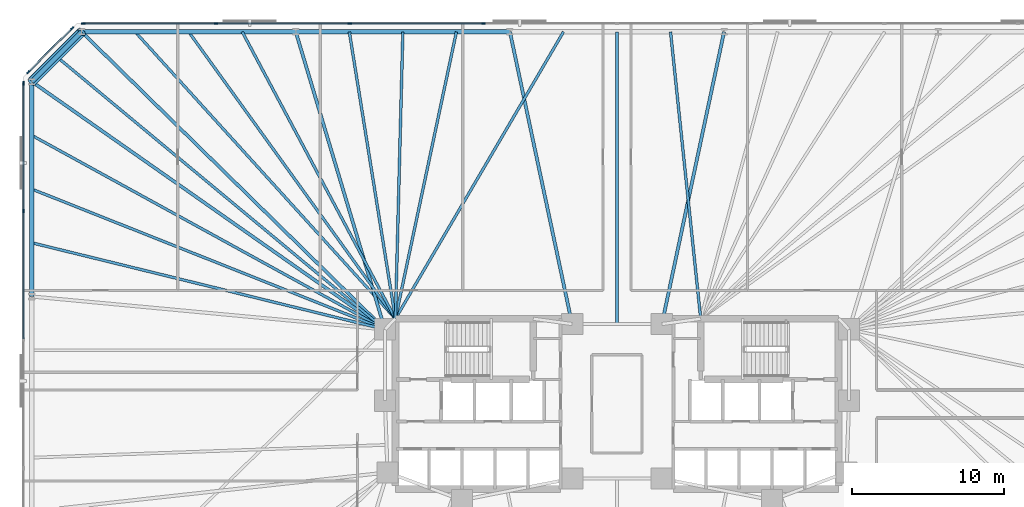
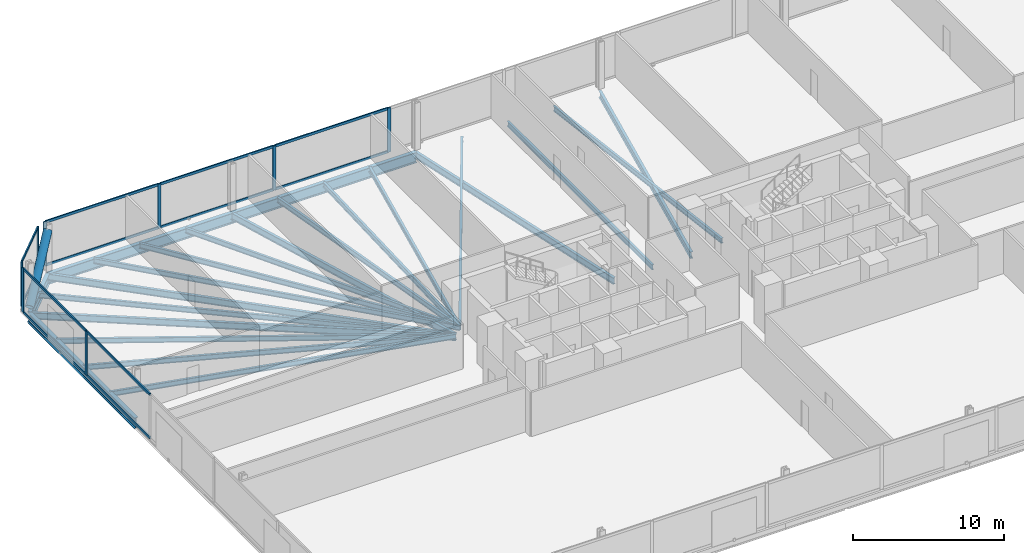
# One storey, part 8 of 16: 22 beams, 21 members, 3 elements without a shape of their own.
"""IFC4 building model written with IfcOpenShell, lengths in metres."""

from ifc_helpers import new_model, si_unit, direction, frame, origin, origin_2d, place, context, subcontext, project, spatial, rectangle, hollow_circle, i_section, extrude, material, material_profile, profile_set, type_object, element, aggregate, save


model = new_model("IFC4")

# Units and contexts
model_context = context("Model", 3, precision=1e-05, world=origin(), true_north=direction((0.0, 1.0)))
body_context = subcontext(model_context, "Body", "Model", "MODEL_VIEW")
ifc_project = project(units=[si_unit("LENGTHUNIT", "METRE"), si_unit("AREAUNIT", "SQUARE_METRE"), si_unit("VOLUMEUNIT", "CUBIC_METRE"), si_unit("PLANEANGLEUNIT", "RADIAN"), si_unit("MASSUNIT", "GRAM", prefix="KILO")], contexts=[model_context])

# Site, building, storey
site_placement = place(None, origin())
site = spatial("IfcSite", under=ifc_project, at=site_placement, CompositionType="ELEMENT")
building_placement = place(site_placement, origin())
building = spatial("IfcBuilding", under=site, at=building_placement, Name="Menara Jurai Vektor", CompositionType="ELEMENT")
storey_placement = place(building_placement, frame((0.0, 0.0, 59.800048828125)))
storey = spatial("IfcBuildingStorey", under=building, at=storey_placement, Name="L14", CompositionType="ELEMENT", Elevation=59.800048828125)

# Curtain wall, members
ifc_material_1 = material(Name="Anodised Pale Aluminium & Low-E Double Glazing", Category="aluminium")
curtain_wall_type = type_object("IfcCurtainWallType", Name="CW-BLK1", PredefinedType="NOTDEFINED", material=ifc_material_1)
curtain_wall_1_placement = place(storey_placement, origin())
curtain_wall_1 = element("IfcCurtainWall", 1, at=curtain_wall_1_placement, inside=storey, type_object=curtain_wall_type, Name="Unitised Curtain Wall L14 F05", PredefinedType="NOTDEFINED")
ifc_material_2 = material(Name="Anodised Pale Aluminium Mullion", Category="aluminium")
ifc_material_profile_1 = material_profile(ifc_material_2, rectangle(XDim=0.094970703125, YDim=0.239990234375, at=origin_2d()), Name="ALU MUL 95x240")
ifc_profile_set_1 = profile_set([ifc_material_profile_1], Name="Anodised Pale Aluminium Mullion")
member_type_1 = type_object("IfcMemberType", Name="CW-BLK1-MUL", PredefinedType="MULLION", material=ifc_profile_set_1)
member_1_placement = place(storey_placement, frame((-8.780029296875, 25.0, 0.0), z_axis=(0.0, 0.0, 1.0), x_axis=(0.0, -1.0, 0.0)))
member_1 = element("IfcMember", 2, at=member_1_placement, type_object=member_type_1, Name="CW-01 mullion 6", PredefinedType="MULLION", context=body_context, shape_type="SweptSolid", body=[
    extrude(rectangle(XDim=0.094970703125, YDim=0.239990234375, at=origin_2d()), origin(), (0.0, 0.0, 1.0), 3.574951171875),
])
member_2_placement = place(storey_placement, frame((-17.56005859375, 25.0, 0.0), z_axis=(0.0, 0.0, 1.0), x_axis=(0.0, -1.0, 0.0)))
member_2 = element("IfcMember", 3, at=member_2_placement, type_object=member_type_1, Name="CW-01 mullion 7", PredefinedType="MULLION", context=body_context, shape_type="SweptSolid", body=[
    extrude(rectangle(XDim=0.094970703125, YDim=0.239990234375, at=origin_2d()), origin(), (0.0, 0.0, 1.0), 3.574951171875),
])
member_3_placement = place(storey_placement, frame((-26.340087890625, 25.0, 0.0), z_axis=(0.0, 0.0, 1.0), x_axis=(0.0, -1.0, 0.0)))
member_3 = element("IfcMember", 4, at=member_3_placement, type_object=member_type_1, Name="CW-01 mullion 8", PredefinedType="MULLION", context=body_context, shape_type="SweptSolid", body=[
    extrude(rectangle(XDim=0.094970703125, YDim=0.239990234375, at=origin_2d()), origin(), (0.0, 0.0, 1.0), 3.574951171875),
])
member_4_placement = place(storey_placement, frame((-35.072509765625, 25.0, 0.0), z_axis=(0.0, 0.0, 1.0), x_axis=(0.0, -1.0, 0.0)))
member_4 = element("IfcMember", 5, at=member_4_placement, type_object=member_type_1, Name="CW-01 mullion 9", PredefinedType="MULLION", context=body_context, shape_type="SweptSolid", body=[
    extrude(rectangle(XDim=0.094970703125, YDim=0.239990234375, at=origin_2d()), origin(), (0.0, 0.0, 1.0), 3.574951171875),
])

curtain_wall_2_placement = place(storey_placement, origin())
curtain_wall_2 = element("IfcCurtainWall", 6, at=curtain_wall_2_placement, inside=storey, type_object=curtain_wall_type, Name="Unitised Curtain Wall L14 F06", PredefinedType="NOTDEFINED")
member_5_placement = place(storey_placement, frame((-35.80224609375, 24.69775390625, 0.0), z_axis=(0.0, 0.0, 1.0), x_axis=(0.707106781187, -0.707106781187, 0.0)))
member_5 = element("IfcMember", 7, at=member_5_placement, type_object=member_type_1, Name="CW-01 mullion 1", PredefinedType="MULLION", context=body_context, shape_type="SweptSolid", body=[
    extrude(rectangle(XDim=0.094970703125, YDim=0.239990234375, at=origin_2d()), origin(), (0.0, 0.0, 1.0), 3.574951171875),
])
member_6_placement = place(storey_placement, frame((-38.69775390625, 21.80224609375, 0.0), z_axis=(0.0, 0.0, 1.0), x_axis=(0.707106781187, -0.707106781187, 0.0)))
member_6 = element("IfcMember", 8, at=member_6_placement, type_object=member_type_1, Name="CW-01 mullion 2", PredefinedType="MULLION", context=body_context, shape_type="SweptSolid", body=[
    extrude(rectangle(XDim=0.094970703125, YDim=0.239990234375, at=origin_2d()), origin(), (0.0, 0.0, 1.0), 3.574951171875),
])

curtain_wall_3_placement = place(storey_placement, origin())
curtain_wall_3 = element("IfcCurtainWall", 9, at=curtain_wall_3_placement, inside=storey, type_object=curtain_wall_type, Name="Unitised Curtain Wall L14 F07", PredefinedType="NOTDEFINED")
member_7_placement = place(storey_placement, frame((-39.0, 21.072509765625, 0.0), z_axis=(0.0, 0.0, 1.0), x_axis=(1.0, 0.0, 0.0)))
member_7 = element("IfcMember", 10, at=member_7_placement, type_object=member_type_1, Name="CW-01 mullion 1", PredefinedType="MULLION", context=body_context, shape_type="SweptSolid", body=[
    extrude(rectangle(XDim=0.094970703125, YDim=0.239990234375, at=origin_2d()), origin(), (0.0, 0.0, 1.0), 3.574951171875),
])
member_8_placement = place(storey_placement, frame((-39.0, 12.672119140625, 0.0), z_axis=(0.0, 0.0, 1.0), x_axis=(1.0, 0.0, 0.0)))
member_8 = element("IfcMember", 11, at=member_8_placement, type_object=member_type_1, Name="CW-01 mullion 2", PredefinedType="MULLION", context=body_context, shape_type="SweptSolid", body=[
    extrude(rectangle(XDim=0.094970703125, YDim=0.239990234375, at=origin_2d()), origin(), (0.0, 0.0, 1.0), 3.574951171875),
])

# Member
ifc_material_3 = material(Name="Anodised Pale Aluminium Transom", Category="aluminium")
ifc_material_profile_2 = material_profile(ifc_material_3, rectangle(XDim=0.094970703125, YDim=0.199951171875, at=origin_2d()), Name="ALU TRN 95x200")
ifc_profile_set_2 = profile_set([ifc_material_profile_2], Name="Anodised Pale Aluminium Transom")
member_type_2 = type_object("IfcMemberType", Name="CW-BLK1-TRN", PredefinedType="USERDEFINED", material=ifc_profile_set_2)
member_9_placement = place(storey_placement, frame((-8.827392578125, 25.0, 0.04736328125), z_axis=(-1.0, 0.0, 0.0), x_axis=(0.0, -1.0, 0.0)))
member_9 = element("IfcMember", 12, at=member_9_placement, type_object=member_type_2, Name="CW-01 transom 6.1", ObjectType="TRANSOM", PredefinedType="USERDEFINED", context=body_context, shape_type="SweptSolid", body=[
    extrude(rectangle(XDim=0.094970703125, YDim=0.199951171875, at=origin_2d()), origin(), (0.0, 0.0, 1.0), 8.68505859375),
])

member_10_placement = place(storey_placement, frame((-8.827392578125, 25.0, 3.52734375), z_axis=(-1.0, 0.0, 0.0), x_axis=(0.0, -1.0, 0.0)))
member_10 = element("IfcMember", 13, at=member_10_placement, type_object=member_type_2, Name="CW-01 transom 6.2", ObjectType="TRANSOM", PredefinedType="USERDEFINED", context=body_context, shape_type="SweptSolid", body=[
    extrude(rectangle(XDim=0.094970703125, YDim=0.199951171875, at=origin_2d()), origin(), (0.0, 0.0, 1.0), 8.68505859375),
])

member_11_placement = place(storey_placement, frame((-17.607421875, 25.0, 0.04736328125), z_axis=(-1.0, 0.0, 0.0), x_axis=(0.0, -1.0, 0.0)))
member_11 = element("IfcMember", 14, at=member_11_placement, type_object=member_type_2, Name="CW-01 transom 7.1", ObjectType="TRANSOM", PredefinedType="USERDEFINED", context=body_context, shape_type="SweptSolid", body=[
    extrude(rectangle(XDim=0.094970703125, YDim=0.199951171875, at=origin_2d()), origin(), (0.0, 0.0, 1.0), 8.68505859375),
])

member_12_placement = place(storey_placement, frame((-17.607421875, 25.0, 3.52734375), z_axis=(-1.0, 0.0, 0.0), x_axis=(0.0, -1.0, 0.0)))
member_12 = element("IfcMember", 15, at=member_12_placement, type_object=member_type_2, Name="CW-01 transom 7.2", ObjectType="TRANSOM", PredefinedType="USERDEFINED", context=body_context, shape_type="SweptSolid", body=[
    extrude(rectangle(XDim=0.094970703125, YDim=0.199951171875, at=origin_2d()), origin(), (0.0, 0.0, 1.0), 8.68505859375),
])

member_13_placement = place(storey_placement, frame((-26.387451171875, 25.0, 0.04736328125), z_axis=(-1.0, 0.0, 0.0), x_axis=(0.0, -1.0, 0.0)))
member_13 = element("IfcMember", 16, at=member_13_placement, type_object=member_type_2, Name="CW-01 transom 8.1", ObjectType="TRANSOM", PredefinedType="USERDEFINED", context=body_context, shape_type="SweptSolid", body=[
    extrude(rectangle(XDim=0.094970703125, YDim=0.199951171875, at=origin_2d()), origin(), (0.0, 0.0, 1.0), 8.637451171875),
])

member_14_placement = place(storey_placement, frame((-26.387451171875, 25.0, 3.52734375), z_axis=(-1.0, 0.0, 0.0), x_axis=(0.0, -1.0, 0.0)))
member_14 = element("IfcMember", 17, at=member_14_placement, type_object=member_type_2, Name="CW-01 transom 8.2", ObjectType="TRANSOM", PredefinedType="USERDEFINED", context=body_context, shape_type="SweptSolid", body=[
    extrude(rectangle(XDim=0.094970703125, YDim=0.199951171875, at=origin_2d()), origin(), (0.0, 0.0, 1.0), 8.637451171875),
])

aggregate(curtain_wall_1, [member_1, member_2, member_3, member_4, member_9, member_10, member_11, member_12, member_13, member_14])

member_15_placement = place(storey_placement, frame((-35.8359375, 24.6640625, 0.04736328125), z_axis=(-0.707106781187, -0.707106781187, 0.0), x_axis=(0.707106781187, -0.707106781187, 0.0)))
member_15 = element("IfcMember", 18, at=member_15_placement, type_object=member_type_2, Name="CW-01 transom 1.1", ObjectType="TRANSOM", PredefinedType="USERDEFINED", context=body_context, shape_type="SweptSolid", body=[
    extrude(rectangle(XDim=0.094970703125, YDim=0.199951171875, at=origin_2d()), origin(), (0.0, 0.0, 1.0), 3.99951171875),
])

member_16_placement = place(storey_placement, frame((-35.8359375, 24.6640625, 3.52734375), z_axis=(-0.707106781187, -0.707106781187, 0.0), x_axis=(0.707106781187, -0.707106781187, 0.0)))
member_16 = element("IfcMember", 19, at=member_16_placement, type_object=member_type_2, Name="CW-01 transom 1.2", ObjectType="TRANSOM", PredefinedType="USERDEFINED", context=body_context, shape_type="SweptSolid", body=[
    extrude(rectangle(XDim=0.094970703125, YDim=0.199951171875, at=origin_2d()), origin(), (0.0, 0.0, 1.0), 3.99951171875),
])

aggregate(curtain_wall_2, [member_5, member_6, member_15, member_16])

member_17_placement = place(storey_placement, frame((-39.0, 21.02490234375, 0.04736328125), z_axis=(0.0, -1.0, 0.0), x_axis=(1.0, 0.0, 0.0)))
member_17 = element("IfcMember", 20, at=member_17_placement, type_object=member_type_2, Name="CW-01 transom 1.1", ObjectType="TRANSOM", PredefinedType="USERDEFINED", context=body_context, shape_type="SweptSolid", body=[
    extrude(rectangle(XDim=0.094970703125, YDim=0.199951171875, at=origin_2d()), origin(), (0.0, 0.0, 1.0), 8.305419921875),
])

member_18_placement = place(storey_placement, frame((-39.0, 21.02490234375, 3.52734375), z_axis=(0.0, -1.0, 0.0), x_axis=(1.0, 0.0, 0.0)))
member_18 = element("IfcMember", 21, at=member_18_placement, type_object=member_type_2, Name="CW-01 transom 1.2", ObjectType="TRANSOM", PredefinedType="USERDEFINED", context=body_context, shape_type="SweptSolid", body=[
    extrude(rectangle(XDim=0.094970703125, YDim=0.199951171875, at=origin_2d()), origin(), (0.0, 0.0, 1.0), 8.305419921875),
])

member_19_placement = place(storey_placement, frame((-39.0, 12.62451171875, 0.04736328125), z_axis=(0.0, -1.0, 0.0), x_axis=(1.0, 0.0, 0.0)))
member_19 = element("IfcMember", 22, at=member_19_placement, type_object=member_type_2, Name="CW-01 transom 2.1", ObjectType="TRANSOM", PredefinedType="USERDEFINED", context=body_context, shape_type="SweptSolid", body=[
    extrude(rectangle(XDim=0.094970703125, YDim=0.199951171875, at=origin_2d()), origin(), (0.0, 0.0, 1.0), 8.35302734375),
])

member_20_placement = place(storey_placement, frame((-39.0, 12.62451171875, 3.52734375), z_axis=(0.0, -1.0, 0.0), x_axis=(1.0, 0.0, 0.0)))
member_20 = element("IfcMember", 23, at=member_20_placement, type_object=member_type_2, Name="CW-01 transom 2.2", ObjectType="TRANSOM", PredefinedType="USERDEFINED", context=body_context, shape_type="SweptSolid", body=[
    extrude(rectangle(XDim=0.094970703125, YDim=0.199951171875, at=origin_2d()), origin(), (0.0, 0.0, 1.0), 8.35302734375),
])

aggregate(curtain_wall_3, [member_7, member_8, member_17, member_18, member_19, member_20])

# Beams
ifc_material_4 = material(Name="Steel S355", Category="steel")
ifc_material_profile_3 = material_profile(ifc_material_4, i_section(OverallWidth=0.2109375, OverallDepth=0.5390625, WebThickness=0.011962890625, FlangeThickness=0.01904296875, FilletRadius=0.012939453125, at=origin_2d()), Name="UKB 533x210x109")
ifc_profile_set_3 = profile_set([ifc_material_profile_3], Name="Steel S355")
beam_type_1 = type_object("IfcBeamType", Name="STR-BM-533", PredefinedType="BEAM", material=ifc_profile_set_3)
for number, where, z_axis, x_axis, name in (
    (24, (7.03564453125, 24.449951171875, -0.49462890625), (-0.2081367579, -0.978099734184, 0.0), (0.978099734184, -0.2081367579, 0.0), "Radial Floor Girder L14-N3"),
    (25, (-7.03564453125, 24.449951171875, -0.49462890625), (0.2081367579, -0.978099734184, 0.0), (0.978099734184, 0.2081367579, 0.0), "Radial Floor Girder L14-N4"),
):
    element("IfcBeam", number, at=place(storey_placement, frame(where, z_axis=z_axis, x_axis=x_axis)), inside=storey, type_object=beam_type_1, Name=name, PredefinedType="BEAM", context=body_context, shape_type="SweptSolid", body=[
        extrude(i_section(OverallWidth=0.2109375, OverallDepth=0.5390625, WebThickness=0.011962890625, FlangeThickness=0.01904296875, FilletRadius=0.012939453125, at=origin_2d()), origin(), (0.0, 0.0, 1.0), 19.6298828125),
    ])
beam_1_placement = place(storey_placement, frame((-21.106689453125, 24.449951171875, -0.49462890625), z_axis=(0.286973617166, -0.957938486047, 0.0), x_axis=(0.957938486047, 0.286973617166, 0.0)))
element("IfcBeam", 26, at=beam_1_placement, inside=storey, type_object=beam_type_1, Name="Radial Floor Girder L14-N5", PredefinedType="BEAM", context=body_context, shape_type="SweptSolid", body=[
    extrude(i_section(OverallWidth=0.2109375, OverallDepth=0.5390625, WebThickness=0.011962890625, FlangeThickness=0.01904296875, FilletRadius=0.012939453125, at=origin_2d()), origin(), (0.0, 0.0, 1.0), 20.408447265625),
])
beam_2_placement = place(storey_placement, frame((-35.177734375, 24.449951171875, -0.49462890625), z_axis=(0.713839032855, -0.700309813706, 0.0), x_axis=(0.700309813706, 0.713839032855, 0.0)))
element("IfcBeam", 27, at=beam_2_placement, inside=storey, type_object=beam_type_1, Name="Radial Floor Girder L14-N6", PredefinedType="BEAM", context=body_context, shape_type="SweptSolid", body=[
    extrude(i_section(OverallWidth=0.2109375, OverallDepth=0.5390625, WebThickness=0.011962890625, FlangeThickness=0.01904296875, FilletRadius=0.012939453125, at=origin_2d()), origin(), (0.0, 0.0, 1.0), 27.916259765625),
])
beam_3_placement = place(storey_placement, frame((-38.449951171875, 21.177734375, -0.49462890625), z_axis=(0.818603732445, -0.574358711283, 0.0), x_axis=(0.574358711283, 0.818603732445, 0.0)))
element("IfcBeam", 28, at=beam_3_placement, inside=storey, type_object=beam_type_1, Name="Radial Floor Girder L14-W1", PredefinedType="BEAM", context=body_context, shape_type="SweptSolid", body=[
    extrude(i_section(OverallWidth=0.2109375, OverallDepth=0.5390625, WebThickness=0.011962890625, FlangeThickness=0.01904296875, FilletRadius=0.012939453125, at=origin_2d()), origin(), (0.0, 0.0, 1.0), 28.3408203125),
])

# Member
ifc_material_5 = material(Name="Steel S460", Category="steel")
ifc_material_profile_4 = material_profile(ifc_material_5, hollow_circle(Radius=0.304931640625, WallThickness=0.02490234375, at=origin_2d()), Name="CHS 610x25")
ifc_profile_set_4 = profile_set([ifc_material_profile_4], Name="Steel S460")
member_type_3 = type_object("IfcMemberType", Name="STR-BR-610", PredefinedType="BRACE", material=ifc_profile_set_4)
member_21_placement = place(storey_placement, frame((-38.449951171875, 21.177734375, 0.14990234375), z_axis=(0.588942422958, 0.588942422958, 0.553438022619), x_axis=(-0.707106781187, 0.707106781187, 0.0)))
element("IfcMember", 29, at=member_21_placement, inside=storey, type_object=member_type_3, Name="Exoskeleton Corner Brace L14-3", PredefinedType="BRACE", context=body_context, shape_type="SweptSolid", body=[
    extrude(hollow_circle(Radius=0.304931640625, WallThickness=0.02490234375, at=origin_2d()), origin(), (0.0, 0.0, 1.0), 5.55615234375),
])

# Beams
ifc_material_profile_5 = material_profile(ifc_material_4, i_section(OverallWidth=0.178955078125, OverallDepth=0.408935546875, WebThickness=0.009033203125, FlangeThickness=0.013916015625, FilletRadius=0.010009765625, at=origin_2d()), Name="UKB 406x178x67")
ifc_profile_set_5 = profile_set([ifc_material_profile_5], Name="Steel S355")
beam_type_2 = type_object("IfcBeamType", Name="STR-JS-406", PredefinedType="JOIST", material=ifc_profile_set_5)
beam_4_placement = place(storey_placement, frame((3.517822265625, 24.449951171875, -0.429443359375), z_axis=(0.104579513969, -0.994516528399, 0.0), x_axis=(0.994516528399, 0.104579513969, 0.0)))
element("IfcBeam", 30, at=beam_4_placement, inside=storey, type_object=beam_type_2, Name="Radial Secondary Floor Joist L14-JS22", PredefinedType="JOIST", context=body_context, shape_type="SweptSolid", body=[
    extrude(i_section(OverallWidth=0.178955078125, OverallDepth=0.408935546875, WebThickness=0.009033203125, FlangeThickness=0.013916015625, FilletRadius=0.010009765625, at=origin_2d()), origin(), (0.0, 0.0, 1.0), 18.953857421875),
])
beam_5_placement = place(storey_placement, frame((0.0, 24.449951171875, -0.429443359375), z_axis=(0.0, -1.0, 0.0), x_axis=(1.0, 0.0, 0.0)))
element("IfcBeam", 31, at=beam_5_placement, inside=storey, type_object=beam_type_2, Name="Radial Secondary Floor Joist L14-JS23", PredefinedType="JOIST", context=body_context, shape_type="SweptSolid", body=[
    extrude(i_section(OverallWidth=0.178955078125, OverallDepth=0.408935546875, WebThickness=0.009033203125, FlangeThickness=0.013916015625, FilletRadius=0.010009765625, at=origin_2d()), origin(), (0.0, 0.0, 1.0), 19.199951171875),
])
beam_6_placement = place(storey_placement, frame((-3.517822265625, 24.449951171875, -0.429443359375), z_axis=(-0.505457909797, -0.862851262631, 0.0), x_axis=(0.862851262631, -0.505457909797, 0.0)))
element("IfcBeam", 32, at=beam_6_placement, inside=storey, type_object=beam_type_2, Name="Radial Secondary Floor Joist L14-JS24", PredefinedType="JOIST", context=body_context, shape_type="SweptSolid", body=[
    extrude(i_section(OverallWidth=0.178955078125, OverallDepth=0.408935546875, WebThickness=0.009033203125, FlangeThickness=0.013916015625, FilletRadius=0.010009765625, at=origin_2d()), origin(), (0.0, 0.0, 1.0), 21.845947265625),
])
beam_7_placement = place(storey_placement, frame((-10.55322265625, 24.449951171875, -0.429443359375), z_axis=(-0.207920423262, -0.978145744555, 0.0), x_axis=(0.978145744555, -0.207920423262, 0.0)))
element("IfcBeam", 33, at=beam_7_placement, inside=storey, type_object=beam_type_2, Name="Radial Secondary Floor Joist L14-JS25", PredefinedType="JOIST", context=body_context, shape_type="SweptSolid", body=[
    extrude(i_section(OverallWidth=0.178955078125, OverallDepth=0.408935546875, WebThickness=0.009033203125, FlangeThickness=0.013916015625, FilletRadius=0.010009765625, at=origin_2d()), origin(), (0.0, 0.0, 1.0), 19.27099609375),
])
beam_8_placement = place(storey_placement, frame((-14.071044921875, 24.449951171875, -0.429443359375), z_axis=(-0.02593384597, -0.999663661255, 0.0), x_axis=(0.999663661255, -0.02593384597, 0.0)))
element("IfcBeam", 34, at=beam_8_placement, inside=storey, type_object=beam_type_2, Name="Radial Secondary Floor Joist L14-JS26", PredefinedType="JOIST", context=body_context, shape_type="SweptSolid", body=[
    extrude(i_section(OverallWidth=0.178955078125, OverallDepth=0.408935546875, WebThickness=0.009033203125, FlangeThickness=0.013916015625, FilletRadius=0.010009765625, at=origin_2d()), origin(), (0.0, 0.0, 1.0), 18.856201171875),
])
beam_9_placement = place(storey_placement, frame((-17.5888671875, 24.449951171875, -0.429443359375), z_axis=(0.158645817656, -0.987335558227, 0.0), x_axis=(0.987335558227, 0.158645817656, 0.0)))
element("IfcBeam", 35, at=beam_9_placement, inside=storey, type_object=beam_type_2, Name="Radial Secondary Floor Joist L14-JS27", PredefinedType="JOIST", context=body_context, shape_type="SweptSolid", body=[
    extrude(i_section(OverallWidth=0.178955078125, OverallDepth=0.408935546875, WebThickness=0.009033203125, FlangeThickness=0.013916015625, FilletRadius=0.010009765625, at=origin_2d()), origin(), (0.0, 0.0, 1.0), 19.091552734375),
])
beam_10_placement = place(storey_placement, frame((-24.62451171875, 24.449951171875, -0.429443359375), z_axis=(0.470996174599, -0.882135252392, 0.0), x_axis=(0.882135252392, 0.470996174599, 0.0)))
element("IfcBeam", 36, at=beam_10_placement, inside=storey, type_object=beam_type_2, Name="Radial Secondary Floor Joist L14-JS28", PredefinedType="JOIST", context=body_context, shape_type="SweptSolid", body=[
    extrude(i_section(OverallWidth=0.178955078125, OverallDepth=0.408935546875, WebThickness=0.009033203125, FlangeThickness=0.013916015625, FilletRadius=0.010009765625, at=origin_2d()), origin(), (0.0, 0.0, 1.0), 21.368408203125),
])
beam_11_placement = place(storey_placement, frame((-28.142333984375, 24.449951171875, -0.429443359375), z_axis=(0.584598948369, -0.811322420229, 0.0), x_axis=(0.811322420229, 0.584598948369, 0.0)))
element("IfcBeam", 37, at=beam_11_placement, inside=storey, type_object=beam_type_2, Name="Radial Secondary Floor Joist L14-JS29", PredefinedType="JOIST", context=body_context, shape_type="SweptSolid", body=[
    extrude(i_section(OverallWidth=0.178955078125, OverallDepth=0.408935546875, WebThickness=0.009033203125, FlangeThickness=0.013916015625, FilletRadius=0.010009765625, at=origin_2d()), origin(), (0.0, 0.0, 1.0), 23.2333984375),
])
beam_12_placement = place(storey_placement, frame((-31.659912109375, 24.449951171875, -0.429443359375), z_axis=(0.671889844346, -0.740651089964, 0.0), x_axis=(0.740651089964, 0.671889844346, 0.0)))
element("IfcBeam", 38, at=beam_12_placement, inside=storey, type_object=beam_type_2, Name="Radial Secondary Floor Joist L14-JS30", PredefinedType="JOIST", context=body_context, shape_type="SweptSolid", body=[
    extrude(i_section(OverallWidth=0.178955078125, OverallDepth=0.408935546875, WebThickness=0.009033203125, FlangeThickness=0.013916015625, FilletRadius=0.010009765625, at=origin_2d()), origin(), (0.0, 0.0, 1.0), 25.450439453125),
])
beam_13_placement = place(storey_placement, frame((-36.81396484375, 22.81396484375, -0.429443359375), z_axis=(0.769201173096, -0.639006694259, 0.0), x_axis=(0.639006694259, 0.769201173096, 0.0)))
element("IfcBeam", 39, at=beam_13_placement, inside=storey, type_object=beam_type_2, Name="Radial Secondary Floor Joist L14-JS31", PredefinedType="JOIST", context=body_context, shape_type="SweptSolid", body=[
    extrude(i_section(OverallWidth=0.178955078125, OverallDepth=0.408935546875, WebThickness=0.009033203125, FlangeThickness=0.013916015625, FilletRadius=0.010009765625, at=origin_2d()), origin(), (0.0, 0.0, 1.0), 28.0341796875),
])
beam_14_placement = place(storey_placement, frame((-38.449951171875, 17.648193359375, -0.429443359375), z_axis=(0.87640219057, -0.481579900291, 0.0), x_axis=(0.481579900291, 0.87640219057, 0.0)))
element("IfcBeam", 40, at=beam_14_placement, inside=storey, type_object=beam_type_2, Name="Radial Secondary Floor Joist L14-JS32", PredefinedType="JOIST", context=body_context, shape_type="SweptSolid", body=[
    extrude(i_section(OverallWidth=0.178955078125, OverallDepth=0.408935546875, WebThickness=0.009033203125, FlangeThickness=0.013916015625, FilletRadius=0.010009765625, at=origin_2d()), origin(), (0.0, 0.0, 1.0), 26.471923828125),
])
beam_15_placement = place(storey_placement, frame((-38.449951171875, 14.118408203125, -0.429443359375), z_axis=(0.929323400723, -0.369266864027, 0.0), x_axis=(0.369266864027, 0.929323400723, 0.0)))
element("IfcBeam", 41, at=beam_15_placement, inside=storey, type_object=beam_type_2, Name="Radial Secondary Floor Joist L14-JS33", PredefinedType="JOIST", context=body_context, shape_type="SweptSolid", body=[
    extrude(i_section(OverallWidth=0.178955078125, OverallDepth=0.408935546875, WebThickness=0.009033203125, FlangeThickness=0.013916015625, FilletRadius=0.010009765625, at=origin_2d()), origin(), (0.0, 0.0, 1.0), 24.96435546875),
])
beam_16_placement = place(storey_placement, frame((-38.449951171875, 10.5888671875, -0.429443359375), z_axis=(0.971226234641, -0.238158772976, 0.0), x_axis=(0.238158772976, 0.971226234641, 0.0)))
element("IfcBeam", 42, at=beam_16_placement, inside=storey, type_object=beam_type_2, Name="Radial Secondary Floor Joist L14-JS34", PredefinedType="JOIST", context=body_context, shape_type="SweptSolid", body=[
    extrude(i_section(OverallWidth=0.178955078125, OverallDepth=0.408935546875, WebThickness=0.009033203125, FlangeThickness=0.013916015625, FilletRadius=0.010009765625, at=origin_2d()), origin(), (0.0, 0.0, 1.0), 23.88720703125),
])
ifc_material_profile_6 = material_profile(ifc_material_5, i_section(OverallWidth=0.2939453125, OverallDepth=0.85107421875, WebThickness=0.01611328125, FlangeThickness=0.027099609375, FilletRadius=0.01806640625, at=origin_2d()), Name="UKB 838x292x226")
ifc_profile_set_6 = profile_set([ifc_material_profile_6], Name="Steel S460")
beam_type_3 = type_object("IfcBeamType", Name="STR-SP-838", PredefinedType="SPANDREL", material=ifc_profile_set_6)
for number, where, z_axis, x_axis, name in (
    (43, (-7.03564453125, 24.449951171875, -0.650634765625), (-1.0, 0.0, 0.0), (0.0, -1.0, 0.0), "Exoskeleton Spandrel Beam L14-14"),
    (44, (-21.106689453125, 24.449951171875, -0.650634765625), (-1.0, 0.0, 0.0), (0.0, -1.0, 0.0), "Exoskeleton Spandrel Beam L14-15"),
):
    element("IfcBeam", number, at=place(storey_placement, frame(where, z_axis=z_axis, x_axis=x_axis)), inside=storey, type_object=beam_type_3, Name=name, PredefinedType="SPANDREL", context=body_context, shape_type="SweptSolid", body=[
        extrude(i_section(OverallWidth=0.2939453125, OverallDepth=0.85107421875, WebThickness=0.01611328125, FlangeThickness=0.027099609375, FilletRadius=0.01806640625, at=origin_2d()), origin(), (0.0, 0.0, 1.0), 14.071044921875),
    ])
beam_17_placement = place(storey_placement, frame((-35.177734375, 24.449951171875, -0.650634765625), z_axis=(-0.707106781187, -0.707106781187, 0.0), x_axis=(0.707106781187, -0.707106781187, 0.0)))
element("IfcBeam", 45, at=beam_17_placement, inside=storey, type_object=beam_type_3, Name="Exoskeleton Spandrel Beam L14-16", PredefinedType="SPANDREL", context=body_context, shape_type="SweptSolid", body=[
    extrude(i_section(OverallWidth=0.2939453125, OverallDepth=0.85107421875, WebThickness=0.01611328125, FlangeThickness=0.027099609375, FilletRadius=0.01806640625, at=origin_2d()), origin(), (0.0, 0.0, 1.0), 4.627685546875),
])
beam_18_placement = place(storey_placement, frame((-38.449951171875, 21.177734375, -0.650634765625), z_axis=(0.0, -1.0, 0.0), x_axis=(1.0, 0.0, 0.0)))
element("IfcBeam", 46, at=beam_18_placement, inside=storey, type_object=beam_type_3, Name="Exoskeleton Spandrel Beam L14-17", PredefinedType="SPANDREL", context=body_context, shape_type="SweptSolid", body=[
    extrude(i_section(OverallWidth=0.2939453125, OverallDepth=0.85107421875, WebThickness=0.01611328125, FlangeThickness=0.027099609375, FilletRadius=0.01806640625, at=origin_2d()), origin(), (0.0, 0.0, 1.0), 14.118408203125),
])

save(model, "model.ifc")
